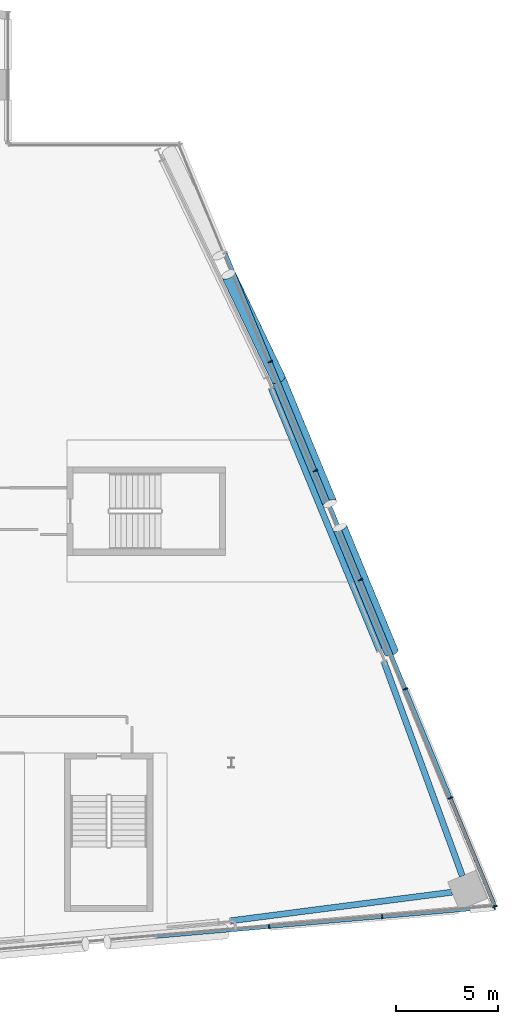
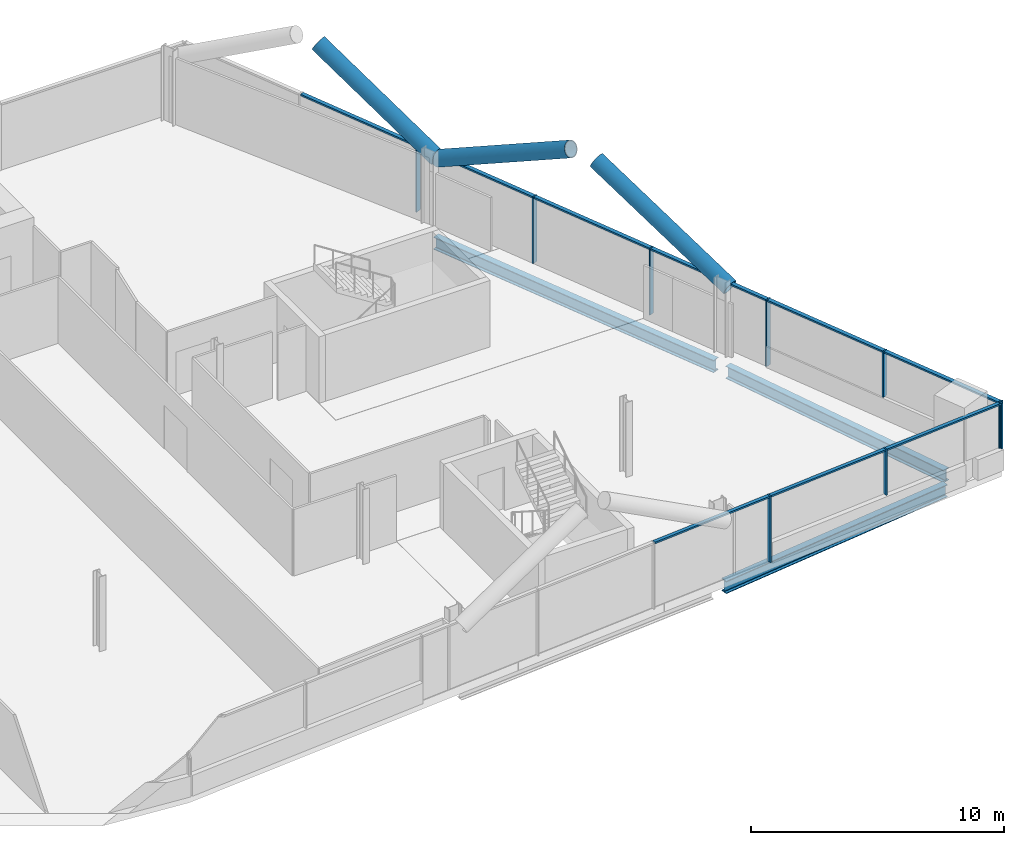
# One storey, part 11 of 26: 21 members, 3 beams, 2 elements without a shape of their own.
"""IFC4 building model written with IfcOpenShell, lengths in metres."""

from ifc_helpers import new_model, si_unit, direction, frame, origin, origin_2d, place, context, subcontext, project, spatial, rectangle, hollow_circle, i_section, extrude, material, material_profile, profile_set, type_object, element, aggregate, save


model = new_model("IFC4")

# Units and contexts
model_context = context("Model", 3, precision=1e-05, world=origin(), true_north=direction((0.0, 1.0)))
body_context = subcontext(model_context, "Body", "Model", "MODEL_VIEW")
ifc_project = project(units=[si_unit("LENGTHUNIT", "METRE"), si_unit("AREAUNIT", "SQUARE_METRE"), si_unit("VOLUMEUNIT", "CUBIC_METRE"), si_unit("PLANEANGLEUNIT", "RADIAN"), si_unit("MASSUNIT", "GRAM", prefix="KILO")], contexts=[model_context])

# Site, building, storey
site_placement = place(None, origin())
site = spatial("IfcSite", under=ifc_project, at=site_placement, CompositionType="ELEMENT")
building_placement = place(site_placement, origin())
building = spatial("IfcBuilding", under=site, at=building_placement, Name="Wharfspan Tower", CompositionType="ELEMENT")
storey_placement = place(building_placement, frame((0.0, 0.0, 177.100098)))
storey = spatial("IfcBuildingStorey", under=building, at=storey_placement, Name="L43", CompositionType="ELEMENT", Elevation=177.100098)

# Beams
ifc_material_1 = material(Name="Steel S355J2", Category="steel")
ifc_material_profile_1 = material_profile(ifc_material_1, i_section(OverallWidth=0.300049, OverallDepth=0.600098, WebThickness=0.015381, FlangeThickness=0.030029, FilletRadius=0.0271, at=origin_2d()))
ifc_profile_set_1 = profile_set([ifc_material_profile_1], Name="Steel S355J2")
beam_type = type_object("IfcBeamType", Name="Edge beam HEB 600", PredefinedType="SPANDREL", material=ifc_profile_set_1)
beam_1_placement = place(storey_placement, frame((71.965576, 3.724121, -0.700195), z_axis=(0.991764, 0.128077, 0.0), x_axis=(-0.128077, 0.991764, 0.0)))
element("IfcBeam", 1, at=beam_1_placement, inside=storey, type_object=beam_type, Name="Edge beam S2 L43 PS2.2 to MC4", PredefinedType="SPANDREL", context=body_context, shape_type="SweptSolid", body=[
    extrude(i_section(OverallWidth=0.300049, OverallDepth=0.600098, WebThickness=0.015381, FlangeThickness=0.030029, FilletRadius=0.0271, at=origin_2d()), origin(), (0.0, 0.0, 1.0), 10.991211),
])
beam_2_placement = place(storey_placement, frame((83.375732, 5.931885, -0.700195), z_axis=(-0.343871, 0.939017, 0.0), x_axis=(-0.939017, -0.343871, 0.0)))
element("IfcBeam", 2, at=beam_2_placement, inside=storey, type_object=beam_type, Name="Edge beam E L43 MC4 to PE.1", PredefinedType="SPANDREL", context=body_context, shape_type="SweptSolid", body=[
    extrude(i_section(OverallWidth=0.300049, OverallDepth=0.600098, WebThickness=0.015381, FlangeThickness=0.030029, FilletRadius=0.0271, at=origin_2d()), origin(), (0.0, 0.0, 1.0), 11.226807),
])
beam_3_placement = place(storey_placement, frame((79.292969, 17.044434, -0.700195), z_axis=(-0.381593, 0.92433, 0.0), x_axis=(-0.92433, -0.381593, 0.0)))
element("IfcBeam", 3, at=beam_3_placement, inside=storey, type_object=beam_type, Name="Edge beam E L43 PE.1 to PE.2", PredefinedType="SPANDREL", context=body_context, shape_type="SweptSolid", body=[
    extrude(i_section(OverallWidth=0.300049, OverallDepth=0.600098, WebThickness=0.015381, FlangeThickness=0.030029, FilletRadius=0.0271, at=origin_2d()), origin(), (0.0, 0.0, 1.0), 13.94751),
])

# Curtain wall, members
ifc_material_2 = material(Name="Aluminium 6063-T6", Category="aluminium")
curtain_wall_type_1 = type_object("IfcCurtainWallType", Name="CURTAIN WALL FACETED FRONT", PredefinedType="NOTDEFINED", material=ifc_material_2)
curtain_wall_1_placement = place(storey_placement, origin())
curtain_wall_1 = element("IfcCurtainWall", 4, at=curtain_wall_1_placement, inside=storey, type_object=curtain_wall_type_1, Name="Curtain wall S2", PredefinedType="NOTDEFINED")
ifc_material_profile_2 = material_profile(ifc_material_2, rectangle(XDim=0.199951, YDim=0.060059, at=origin_2d()))
ifc_profile_set_2 = profile_set([ifc_material_profile_2], Name="Aluminium 6063-T6")
member_type_1 = type_object("IfcMemberType", Name="MULLION FACETED FRONT 60x200", PredefinedType="MULLION", material=ifc_profile_set_2)
member_1_placement = place(storey_placement, frame((73.857178, 3.425049, 0.0), z_axis=(0.0, 0.0, 1.0), x_axis=(-0.087156, 0.996198, 0.0)))
member_1 = element("IfcMember", 5, at=member_1_placement, type_object=member_type_1, Name="Curtain wall S2 mullion 6", PredefinedType="MULLION", context=body_context, shape_type="SweptSolid", body=[
    extrude(rectangle(XDim=0.199951, YDim=0.060059, at=origin_2d()), origin(), (0.0, 0.0, 1.0), 3.199951),
])
member_2_placement = place(storey_placement, frame((79.428467, 3.912598, 1.0), z_axis=(0.0, 0.0, 1.0), x_axis=(-0.087156, 0.996198, 0.0)))
member_2 = element("IfcMember", 6, at=member_2_placement, type_object=member_type_1, Name="Curtain wall S2 mullion 7", PredefinedType="MULLION", context=body_context, shape_type="SweptSolid", body=[
    extrude(rectangle(XDim=0.199951, YDim=0.060059, at=origin_2d()), origin(), (0.0, 0.0, 1.0), 2.199951),
])
member_3_placement = place(storey_placement, frame((84.970215, 4.397461, 1.0), z_axis=(0.0, 0.0, 1.0), x_axis=(-0.087156, 0.996198, 0.0)))
member_3 = element("IfcMember", 7, at=member_3_placement, type_object=member_type_1, Name="Curtain wall S2 mullion 8", PredefinedType="MULLION", context=body_context, shape_type="SweptSolid", body=[
    extrude(rectangle(XDim=0.199951, YDim=0.060059, at=origin_2d()), origin(), (0.0, 0.0, 1.0), 2.199951),
])

curtain_wall_type_2 = type_object("IfcCurtainWallType", Name="CURTAIN WALL PROW AND END", PredefinedType="NOTDEFINED", material=ifc_material_2)
curtain_wall_2_placement = place(storey_placement, origin())
curtain_wall_2 = element("IfcCurtainWall", 8, at=curtain_wall_2_placement, inside=storey, type_object=curtain_wall_type_2, Name="Curtain wall E", PredefinedType="NOTDEFINED")
ifc_material_profile_3 = material_profile(ifc_material_2, rectangle(XDim=0.23999, YDim=0.060059, at=origin_2d()))
ifc_profile_set_3 = profile_set([ifc_material_profile_3], Name="Aluminium 6063-T6")
member_type_2 = type_object("IfcMemberType", Name="MULLION PROW AND END 60x240", PredefinedType="MULLION", material=ifc_profile_set_3)
member_4_placement = place(storey_placement, frame((84.988525, 4.427734, 1.0), z_axis=(0.0, 0.0, 1.0), x_axis=(-0.924325, -0.381602, 0.0)))
member_4 = element("IfcMember", 9, at=member_4_placement, type_object=member_type_2, Name="Curtain wall E mullion 1", PredefinedType="MULLION", context=body_context, shape_type="SweptSolid", body=[
    extrude(rectangle(XDim=0.23999, YDim=0.060059, at=origin_2d()), origin(), (0.0, 0.0, 1.0), 2.199951),
])
member_5_placement = place(storey_placement, frame((82.782471, 9.771484, 1.0), z_axis=(0.0, 0.0, 1.0), x_axis=(-0.924325, -0.381602, 0.0)))
member_5 = element("IfcMember", 10, at=member_5_placement, type_object=member_type_2, Name="Curtain wall E mullion 2", PredefinedType="MULLION", context=body_context, shape_type="SweptSolid", body=[
    extrude(rectangle(XDim=0.23999, YDim=0.060059, at=origin_2d()), origin(), (0.0, 0.0, 1.0), 2.199951),
])
member_6_placement = place(storey_placement, frame((80.564941, 15.142822, 0.0), z_axis=(0.0, 0.0, 1.0), x_axis=(-0.924325, -0.381602, 0.0)))
member_6 = element("IfcMember", 11, at=member_6_placement, type_object=member_type_2, Name="Curtain wall E mullion 3", PredefinedType="MULLION", context=body_context, shape_type="SweptSolid", body=[
    extrude(rectangle(XDim=0.23999, YDim=0.060059, at=origin_2d()), origin(), (0.0, 0.0, 1.0), 3.199951),
])
member_7_placement = place(storey_placement, frame((78.347412, 20.514404, 0.0), z_axis=(0.0, 0.0, 1.0), x_axis=(-0.924325, -0.381602, 0.0)))
member_7 = element("IfcMember", 12, at=member_7_placement, type_object=member_type_2, Name="Curtain wall E mullion 4", PredefinedType="MULLION", context=body_context, shape_type="SweptSolid", body=[
    extrude(rectangle(XDim=0.23999, YDim=0.060059, at=origin_2d()), origin(), (0.0, 0.0, 1.0), 3.199951),
])
member_8_placement = place(storey_placement, frame((76.129639, 25.885742, 0.0), z_axis=(0.0, 0.0, 1.0), x_axis=(-0.924325, -0.381602, 0.0)))
member_8 = element("IfcMember", 13, at=member_8_placement, type_object=member_type_2, Name="Curtain wall E mullion 5", PredefinedType="MULLION", context=body_context, shape_type="SweptSolid", body=[
    extrude(rectangle(XDim=0.23999, YDim=0.060059, at=origin_2d()), origin(), (0.0, 0.0, 1.0), 3.199951),
])
member_9_placement = place(storey_placement, frame((73.912109, 31.25708, 0.0), z_axis=(0.0, 0.0, 1.0), x_axis=(-0.924325, -0.381602, 0.0)))
member_9 = element("IfcMember", 14, at=member_9_placement, type_object=member_type_2, Name="Curtain wall E mullion 6", PredefinedType="MULLION", context=body_context, shape_type="SweptSolid", body=[
    extrude(rectangle(XDim=0.23999, YDim=0.060059, at=origin_2d()), origin(), (0.0, 0.0, 1.0), 3.199951),
])

# Members
ifc_material_3 = material(Name="Steel S460NH", Category="steel")
ifc_material_profile_4 = material_profile(ifc_material_3, hollow_circle(Radius=0.355469, WallThickness=0.035889, at=origin_2d()))
ifc_profile_set_4 = profile_set([ifc_material_profile_4], Name="Steel S460NH")
member_type_3 = type_object("IfcMemberType", Name="Mega brace CHS 711x36", PredefinedType="BRACE", material=ifc_profile_set_4)
member_10_placement = place(storey_placement, frame((79.876465, 16.954346, 2.899902), z_axis=(-0.34204, 0.82855, 0.443298), x_axis=(-0.924336, -0.38158, -4e-06)))
element("IfcMember", 15, at=member_10_placement, inside=storey, type_object=member_type_3, Name="Mega brace E5 L44 part 1", PredefinedType="BRACE", context=body_context, shape_type="SweptSolid", body=[
    extrude(hollow_circle(Radius=0.355469, WallThickness=0.035889, at=origin_2d()), origin(), (0.0, 0.0, 1.0), 7.406982),
])
member_11_placement = place(storey_placement, frame((74.320557, 30.411865, 2.899902), z_axis=(0.342079, -0.828531, 0.443305), x_axis=(0.924316, 0.381624, -4e-06)))
element("IfcMember", 16, at=member_11_placement, inside=storey, type_object=member_type_3, Name="Mega brace E5 L44 part 3", PredefinedType="BRACE", context=body_context, shape_type="SweptSolid", body=[
    extrude(hollow_circle(Radius=0.355469, WallThickness=0.035889, at=origin_2d()), origin(), (0.0, 0.0, 1.0), 7.406738),
])
member_12_placement = place(storey_placement, frame((74.320557, 30.411865, 2.899902), z_axis=(-0.374119, 0.780731, 0.500494), x_axis=(-0.90181, -0.432137, -3e-06)))
element("IfcMember", 17, at=member_12_placement, inside=storey, type_object=member_type_3, Name="Mega brace E6 L44 part 1", PredefinedType="BRACE", context=body_context, shape_type="SweptSolid", body=[
    extrude(hollow_circle(Radius=0.355469, WallThickness=0.035889, at=origin_2d()), origin(), (0.0, 0.0, 1.0), 6.581787),
])

# Member
ifc_material_profile_5 = material_profile(ifc_material_2, rectangle(XDim=0.159912, YDim=0.080078, at=origin_2d()))
ifc_profile_set_5 = profile_set([ifc_material_profile_5], Name="Aluminium 6063-T6")
member_type_4 = type_object("IfcMemberType", Name="TRANSOM FACETED FRONT 80x160", PredefinedType="USERDEFINED", material=ifc_profile_set_5)
member_13_placement = place(storey_placement, frame((68.315674, 2.940186, 3.159912), z_axis=(0.996191, 0.087197, 0.0), x_axis=(-0.087197, 0.996191, 0.0)))
member_13 = element("IfcMember", 18, at=member_13_placement, type_object=member_type_4, Name="Curtain wall S2 transom 5", ObjectType="TRANSOM", PredefinedType="USERDEFINED", context=body_context, shape_type="SweptSolid", body=[
    extrude(rectangle(XDim=0.159912, YDim=0.080078, at=origin_2d()), origin(), (0.0, 0.0, 1.0), 5.532471),
])

member_14_placement = place(storey_placement, frame((73.886963, 3.427734, 3.159912), z_axis=(0.996195, 0.087149, 0.0), x_axis=(-0.087149, 0.996195, 0.0)))
member_14 = element("IfcMember", 19, at=member_14_placement, type_object=member_type_4, Name="Curtain wall S2 transom 6", ObjectType="TRANSOM", PredefinedType="USERDEFINED", context=body_context, shape_type="SweptSolid", body=[
    extrude(rectangle(XDim=0.159912, YDim=0.080078, at=origin_2d()), origin(), (0.0, 0.0, 1.0), 5.532715),
])

member_15_placement = place(storey_placement, frame((79.458496, 3.915283, 3.159912), z_axis=(0.996196, 0.087139, 0.0), x_axis=(-0.087139, 0.996196, 0.0)))
member_15 = element("IfcMember", 20, at=member_15_placement, type_object=member_type_4, Name="Curtain wall S2 transom 7", ObjectType="TRANSOM", PredefinedType="USERDEFINED", context=body_context, shape_type="SweptSolid", body=[
    extrude(rectangle(XDim=0.159912, YDim=0.080078, at=origin_2d()), origin(), (0.0, 0.0, 1.0), 5.502686),
])

aggregate(curtain_wall_1, [member_1, member_2, member_3, member_13, member_14, member_15])

ifc_material_profile_6 = material_profile(ifc_material_2, rectangle(XDim=0.179932, YDim=0.080078, at=origin_2d()))
ifc_profile_set_6 = profile_set([ifc_material_profile_6], Name="Aluminium 6063-T6")
member_type_5 = type_object("IfcMemberType", Name="TRANSOM PROW AND END 80x180", PredefinedType="USERDEFINED", material=ifc_profile_set_6)
member_16_placement = place(storey_placement, frame((84.977051, 4.455566, 3.159912), z_axis=(-0.381595, 0.924329, 0.0), x_axis=(-0.924329, -0.381595, 0.0)))
member_16 = element("IfcMember", 21, at=member_16_placement, type_object=member_type_5, Name="Curtain wall E transom 1", ObjectType="TRANSOM", PredefinedType="USERDEFINED", context=body_context, shape_type="SweptSolid", body=[
    extrude(rectangle(XDim=0.179932, YDim=0.080078, at=origin_2d()), origin(), (0.0, 0.0, 1.0), 5.720947),
])

member_17_placement = place(storey_placement, frame((82.770996, 9.799072, 3.159912), z_axis=(-0.381578, 0.924337, 0.0), x_axis=(-0.924337, -0.381578, 0.0)))
member_17 = element("IfcMember", 22, at=member_17_placement, type_object=member_type_5, Name="Curtain wall E transom 2", ObjectType="TRANSOM", PredefinedType="USERDEFINED", context=body_context, shape_type="SweptSolid", body=[
    extrude(rectangle(XDim=0.179932, YDim=0.080078, at=origin_2d()), origin(), (0.0, 0.0, 1.0), 5.751221),
])

member_18_placement = place(storey_placement, frame((80.553467, 15.170654, 3.159912), z_axis=(-0.381629, 0.924315, 0.0), x_axis=(-0.924315, -0.381629, 0.0)))
member_18 = element("IfcMember", 23, at=member_18_placement, type_object=member_type_5, Name="Curtain wall E transom 3", ObjectType="TRANSOM", PredefinedType="USERDEFINED", context=body_context, shape_type="SweptSolid", body=[
    extrude(rectangle(XDim=0.179932, YDim=0.080078, at=origin_2d()), origin(), (0.0, 0.0, 1.0), 5.751221),
])

member_19_placement = place(storey_placement, frame((78.335938, 20.541992, 3.159912), z_axis=(-0.381629, 0.924315, 0.0), x_axis=(-0.924315, -0.381629, 0.0)))
member_19 = element("IfcMember", 24, at=member_19_placement, type_object=member_type_5, Name="Curtain wall E transom 4", ObjectType="TRANSOM", PredefinedType="USERDEFINED", context=body_context, shape_type="SweptSolid", body=[
    extrude(rectangle(XDim=0.179932, YDim=0.080078, at=origin_2d()), origin(), (0.0, 0.0, 1.0), 5.751221),
])

member_20_placement = place(storey_placement, frame((76.118408, 25.91333, 3.159912), z_axis=(-0.381614, 0.924322, 0.0), x_axis=(-0.924322, -0.381614, 0.0)))
member_20 = element("IfcMember", 25, at=member_20_placement, type_object=member_type_5, Name="Curtain wall E transom 5", ObjectType="TRANSOM", PredefinedType="USERDEFINED", context=body_context, shape_type="SweptSolid", body=[
    extrude(rectangle(XDim=0.179932, YDim=0.080078, at=origin_2d()), origin(), (0.0, 0.0, 1.0), 5.751465),
])

member_21_placement = place(storey_placement, frame((73.900635, 31.284912, 3.159912), z_axis=(-0.381593, 0.92433, 0.0), x_axis=(-0.92433, -0.381593, 0.0)))
member_21 = element("IfcMember", 26, at=member_21_placement, type_object=member_type_5, Name="Curtain wall E transom 6", ObjectType="TRANSOM", PredefinedType="USERDEFINED", context=body_context, shape_type="SweptSolid", body=[
    extrude(rectangle(XDim=0.179932, YDim=0.080078, at=origin_2d()), origin(), (0.0, 0.0, 1.0), 5.751221),
])

aggregate(curtain_wall_2, [member_4, member_5, member_6, member_7, member_8, member_9, member_16, member_17, member_18, member_19, member_20, member_21])

save(model, "model.ifc")
